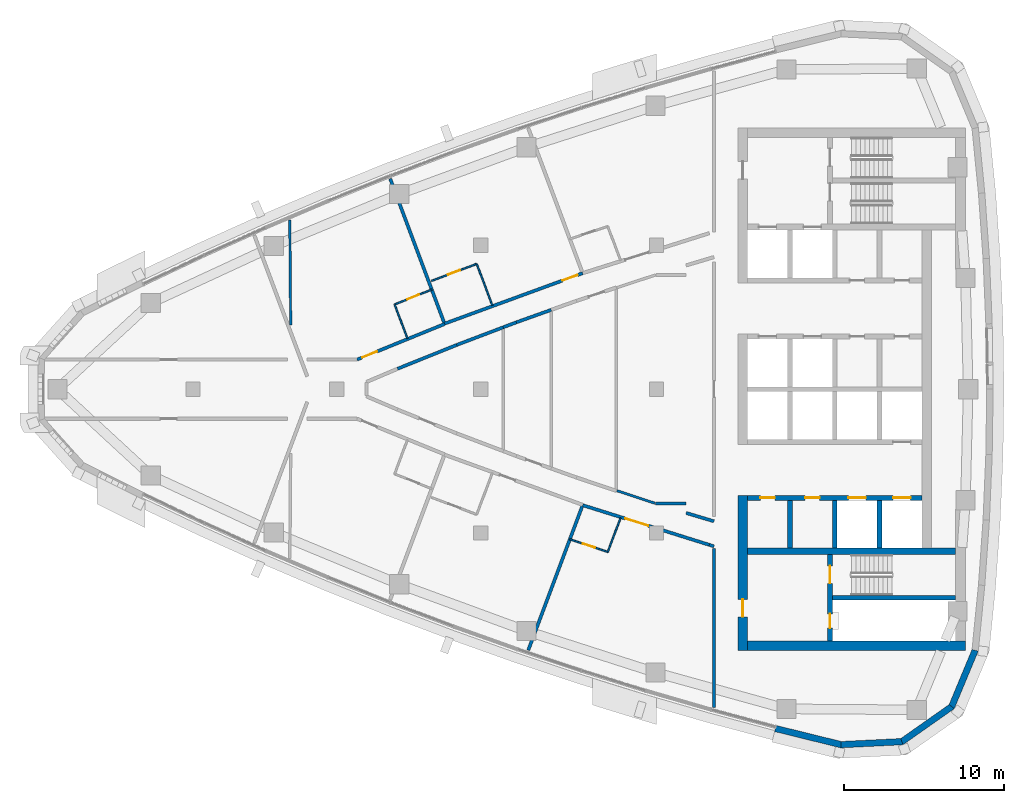
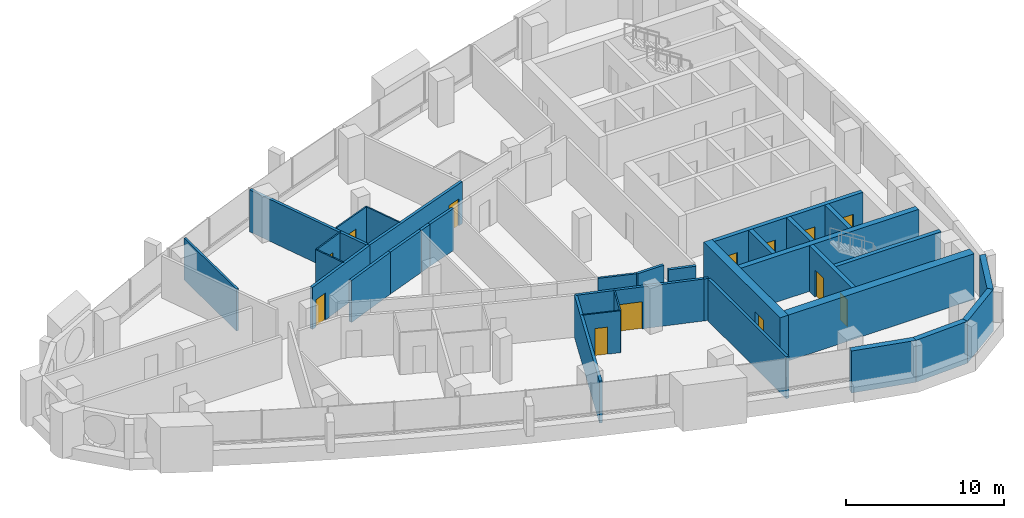
# One storey, part 9 of 15: 34 walls, 13 doors, 13 openings.
"""IFC4 building model written with IfcOpenShell, lengths in metres."""

from ifc_helpers import new_model, si_unit, direction, frame, frame_2d, origin, place, context, subcontext, project, spatial, polyline, rectangle, outline, extrude, material, layer, layer_set, type_object, element, fill, save


model = new_model("IFC4")

# Units and contexts
model_context = context("Model", 3, precision=1e-05, world=origin(), true_north=direction((0.0, 1.0)))
body_context = subcontext(model_context, "Body", "Model", "MODEL_VIEW")
ifc_project = project(units=[si_unit("LENGTHUNIT", "METRE"), si_unit("AREAUNIT", "SQUARE_METRE"), si_unit("VOLUMEUNIT", "CUBIC_METRE"), si_unit("PLANEANGLEUNIT", "RADIAN"), si_unit("MASSUNIT", "GRAM", prefix="KILO")], contexts=[model_context])

# Site, building, storey
site_placement = place(None, origin())
site = spatial("IfcSite", under=ifc_project, at=site_placement, CompositionType="ELEMENT")
building_placement = place(site_placement, origin())
building = spatial("IfcBuilding", under=site, at=building_placement, Name="Ostrand Prow Hotel Tower", CompositionType="ELEMENT")
storey_placement = place(building_placement, frame((0.0, 0.0, 238.550048828125)))
storey = spatial("IfcBuildingStorey", under=building, at=storey_placement, Name="L60", CompositionType="ELEMENT", Elevation=238.550048828125)

# Wall, openings, doors
ifc_material_1 = material(Name="Concrete C50/60", Category="concrete")
ifc_layer_1 = layer(ifc_material_1, 0.300048828125)
ifc_layer_set_1 = layer_set([ifc_layer_1], Name="Concrete C50/60")
wall_type_1 = type_object("IfcWallType", Name="Core wall 300 C50/60", PredefinedType="SHEAR", material=ifc_layer_set_1)
wall_1_placement = place(storey_placement, frame((50.699951171875, -6.800048828125, 0.0), z_axis=(0.0, 0.0, 1.0), x_axis=(1.0, 0.0, 0.0)))
wall_1 = element("IfcWall", 1, at=wall_1_placement, inside=storey, type_object=wall_type_1, Name="Core wall PW-L2-S", PredefinedType="SHEAR", context=body_context, shape_type="SweptSolid", body=[
    extrude(rectangle(XDim=10.900146484375, YDim=0.300048828125, at=frame_2d((5.4501953125, 0.0))), origin(), (0.0, 0.0, 1.0), 3.550048828125),
])
opening_1_placement = place(wall_1_placement, frame((6.300048828125, 0.0, 0.0)))
opening_1 = element("IfcOpeningElement", 2, at=opening_1_placement, cuts=wall_1, Name="Opening LD", PredefinedType="OPENING", context=body_context, shape_type="SweptSolid", body=[
    extrude(rectangle(XDim=1.10009765625, YDim=2.10009765625, at=frame_2d((0.550048828125, 1.050048828125))), frame((0.0, 0.159912109375, 0.0), z_axis=(0.0, -1.0, 0.0), x_axis=(1.0, 0.0, 0.0)), (0.0, 0.0, 1.0), 0.320068359375),
])
opening_2_placement = place(wall_1_placement, frame((9.10009765625, 0.0, 0.0)))
opening_2 = element("IfcOpeningElement", 3, at=opening_2_placement, cuts=wall_1, Name="Opening LD", PredefinedType="OPENING", context=body_context, shape_type="SweptSolid", body=[
    extrude(rectangle(XDim=1.10009765625, YDim=2.10009765625, at=frame_2d((0.550048828125, 1.050048828125))), frame((0.0, 0.159912109375, 0.0), z_axis=(0.0, -1.0, 0.0), x_axis=(1.0, 0.0, 0.0)), (0.0, 0.0, 1.0), 0.320068359375),
])
opening_3_placement = place(wall_1_placement, frame((0.800048828125, 0.0, 0.0)))
opening_3 = element("IfcOpeningElement", 4, at=opening_3_placement, cuts=wall_1, Name="Opening FD2", PredefinedType="OPENING", context=body_context, shape_type="SweptSolid", body=[
    extrude(rectangle(XDim=0.89990234375, YDim=2.10009765625, at=frame_2d((0.449951171875, 1.050048828125))), frame((0.0, 0.159912109375, 0.0), z_axis=(0.0, -1.0, 0.0), x_axis=(1.0, 0.0, 0.0)), (0.0, 0.0, 1.0), 0.320068359375),
])
opening_4_placement = place(wall_1_placement, frame((3.60009765625, 0.0, 0.0)))
opening_4 = element("IfcOpeningElement", 5, at=opening_4_placement, cuts=wall_1, Name="Opening FD2", PredefinedType="OPENING", context=body_context, shape_type="SweptSolid", body=[
    extrude(rectangle(XDim=0.89990234375, YDim=2.10009765625, at=frame_2d((0.449951171875, 1.050048828125))), frame((0.0, 0.159912109375, 0.0), z_axis=(0.0, -1.0, 0.0), x_axis=(1.0, 0.0, 0.0)), (0.0, 0.0, 1.0), 0.320068359375),
])
ifc_material_2 = material(Name="Steel fire door", Category="steel")
door_type_1 = type_object("IfcDoorType", Name="Fire door 900 EI120", OperationType="SINGLE_SWING_LEFT", PredefinedType="DOOR", material=ifc_material_2)
door_1_placement = place(opening_3_placement, origin())
door_1 = element("IfcDoor", 6, at=door_1_placement, inside=storey, type_object=door_type_1, Name="DOOR", OperationType="SINGLE_SWING_LEFT", OverallHeight=2.10009765625, OverallWidth=0.89990234375, PredefinedType="DOOR", context=body_context, shape_type="SweptSolid", body=[
    extrude(rectangle(XDim=0.89990234375, YDim=2.10009765625, at=frame_2d((0.449951171875, 1.050048828125))), frame((0.0, 0.02490234375, 0.0), z_axis=(0.0, -1.0, 0.0), x_axis=(1.0, 0.0, 0.0)), (0.0, 0.0, 1.0), 0.050048828125),
])
fill(opening_3, door_1)
door_2_placement = place(opening_4_placement, origin())
door_2 = element("IfcDoor", 7, at=door_2_placement, inside=storey, type_object=door_type_1, Name="DOOR", OperationType="SINGLE_SWING_LEFT", OverallHeight=2.10009765625, OverallWidth=0.89990234375, PredefinedType="DOOR", context=body_context, shape_type="SweptSolid", body=[
    extrude(rectangle(XDim=0.89990234375, YDim=2.10009765625, at=frame_2d((0.449951171875, 1.050048828125))), frame((0.0, 0.02490234375, 0.0), z_axis=(0.0, -1.0, 0.0), x_axis=(1.0, 0.0, 0.0)), (0.0, 0.0, 1.0), 0.050048828125),
])
fill(opening_4, door_2)
ifc_material_3 = material(Name="Stainless steel door", Category="steel")
door_type_2 = type_object("IfcDoorType", Name="Lift landing door 1100", OperationType="DOUBLE_DOOR_SLIDING", PredefinedType="DOOR", material=ifc_material_3)
door_3_placement = place(opening_1_placement, origin())
door_3 = element("IfcDoor", 8, at=door_3_placement, inside=storey, type_object=door_type_2, Name="LIFT LANDING DOOR", OperationType="DOUBLE_DOOR_SLIDING", OverallHeight=2.10009765625, OverallWidth=1.10009765625, PredefinedType="DOOR", context=body_context, shape_type="SweptSolid", body=[
    extrude(rectangle(XDim=1.10009765625, YDim=2.10009765625, at=frame_2d((0.550048828125, 1.050048828125))), frame((0.0, 0.02490234375, 0.0), z_axis=(0.0, -1.0, 0.0), x_axis=(1.0, 0.0, 0.0)), (0.0, 0.0, 1.0), 0.050048828125),
])
fill(opening_1, door_3)
door_4_placement = place(opening_2_placement, origin())
door_4 = element("IfcDoor", 9, at=door_4_placement, inside=storey, type_object=door_type_2, Name="LIFT LANDING DOOR", OperationType="DOUBLE_DOOR_SLIDING", OverallHeight=2.10009765625, OverallWidth=1.10009765625, PredefinedType="DOOR", context=body_context, shape_type="SweptSolid", body=[
    extrude(rectangle(XDim=1.10009765625, YDim=2.10009765625, at=frame_2d((0.550048828125, 1.050048828125))), frame((0.0, 0.02490234375, 0.0), z_axis=(0.0, -1.0, 0.0), x_axis=(1.0, 0.0, 0.0)), (0.0, 0.0, 1.0), 0.050048828125),
])
fill(opening_2, door_4)

# Walls
for number, where, z_axis, x_axis, name in (
    (10, (53.35009765625, -9.949951171875, 0.0), (0.0, 0.0, 1.0), (0.0, 1.0, 0.0), "Core wall PW-R1-SA"),
    (11, (56.14990234375, -9.949951171875, 0.0), (0.0, 0.0, 1.0), (0.0, 1.0, 0.0), "Core wall PW-R2-SA"),
    (12, (58.949951171875, -9.949951171875, 0.0), (0.0, 0.0, 1.0), (0.0, 1.0, 0.0), "Core wall PW-R3-SA"),
):
    element("IfcWall", number, at=place(storey_placement, frame(where, z_axis=z_axis, x_axis=x_axis)), inside=storey, type_object=wall_type_1, Name=name, PredefinedType="SHEAR", context=body_context, shape_type="SweptSolid", body=[
        extrude(rectangle(XDim=3.0, YDim=0.300048828125, at=frame_2d((1.5, 0.0))), origin(), (0.0, 0.0, 1.0), 3.550048828125),
    ])

# Wall, openings, doors
wall_2_placement = place(storey_placement, frame((55.85009765625, -15.75, 0.0), z_axis=(0.0, 0.0, 1.0), x_axis=(0.0, 1.0, 0.0)))
wall_2 = element("IfcWall", 13, at=wall_2_placement, inside=storey, type_object=wall_type_1, Name="Core wall PW-VS", PredefinedType="SHEAR", context=body_context, shape_type="SweptSolid", body=[
    extrude(rectangle(XDim=5.39990234375, YDim=0.300048828125, at=frame_2d((2.699951171875, 0.0))), origin(), (0.0, 0.0, 1.0), 3.550048828125),
])
opening_5_placement = place(wall_2_placement, frame((3.60009765625, 0.0, 0.0)))
opening_5 = element("IfcOpeningElement", 14, at=opening_5_placement, cuts=wall_2, Name="Opening FD1", PredefinedType="OPENING", context=body_context, shape_type="SweptSolid", body=[
    extrude(rectangle(XDim=1.10009765625, YDim=2.10009765625, at=frame_2d((0.550048828125, 1.050048828125))), frame((0.0, 0.159912109375, 0.0), z_axis=(0.0, -1.0, 0.0), x_axis=(1.0, 0.0, 0.0)), (0.0, 0.0, 1.0), 0.320068359375),
])
opening_6_placement = place(wall_2_placement, frame((0.800048828125, 0.0, 0.0)))
opening_6 = element("IfcOpeningElement", 15, at=opening_6_placement, cuts=wall_2, Name="Opening FD2", PredefinedType="OPENING", context=body_context, shape_type="SweptSolid", body=[
    extrude(rectangle(XDim=0.89990234375, YDim=2.10009765625, at=frame_2d((0.449951171875, 1.050048828125))), frame((0.0, 0.159912109375, 0.0), z_axis=(0.0, -1.0, 0.0), x_axis=(1.0, 0.0, 0.0)), (0.0, 0.0, 1.0), 0.320068359375),
])
ifc_material_4 = material(Name="Steel fire door", Category="steel")
door_type_3 = type_object("IfcDoorType", Name="Fire door 1100 EI120", OperationType="SINGLE_SWING_RIGHT", PredefinedType="DOOR", material=ifc_material_4)
door_5_placement = place(opening_5_placement, origin())
door_5 = element("IfcDoor", 16, at=door_5_placement, inside=storey, type_object=door_type_3, Name="FIRE DOOR", OperationType="SINGLE_SWING_RIGHT", OverallHeight=2.10009765625, OverallWidth=1.10009765625, PredefinedType="DOOR", context=body_context, shape_type="SweptSolid", body=[
    extrude(rectangle(XDim=1.10009765625, YDim=2.10009765625, at=frame_2d((0.550048828125, 1.050048828125))), frame((0.0, 0.02490234375, 0.0), z_axis=(0.0, -1.0, 0.0), x_axis=(1.0, 0.0, 0.0)), (0.0, 0.0, 1.0), 0.050048828125),
])
fill(opening_5, door_5)
door_6_placement = place(opening_6_placement, origin())
door_6 = element("IfcDoor", 17, at=door_6_placement, inside=storey, type_object=door_type_1, Name="FIRE DOOR", OperationType="SINGLE_SWING_LEFT", OverallHeight=2.10009765625, OverallWidth=0.89990234375, PredefinedType="DOOR", context=body_context, shape_type="SweptSolid", body=[
    extrude(rectangle(XDim=0.89990234375, YDim=2.10009765625, at=frame_2d((0.449951171875, 1.050048828125))), frame((0.0, 0.02490234375, 0.0), z_axis=(0.0, -1.0, 0.0), x_axis=(1.0, 0.0, 0.0)), (0.0, 0.0, 1.0), 0.050048828125),
])
fill(opening_6, door_6)

# Walls
wall_3_placement = place(storey_placement, frame((56.0, -13.050048828125, 0.0), z_axis=(0.0, 0.0, 1.0), x_axis=(1.0, 0.0, 0.0)))
element("IfcWall", 18, at=wall_3_placement, inside=storey, type_object=wall_type_1, Name="Core wall PW-ST2R", PredefinedType="SHEAR", context=body_context, shape_type="SweptSolid", body=[
    extrude(rectangle(XDim=7.719970703125, YDim=0.300048828125, at=frame_2d((3.85986328125, 0.0))), origin(), (0.0, 0.0, 1.0), 3.550048828125),
])
ifc_material_5 = material(Name="Concrete C50/60", Category="concrete")
ifc_layer_2 = layer(ifc_material_5, 0.39990234375)
ifc_layer_set_2 = layer_set([ifc_layer_2], Name="Concrete C50/60")
wall_type_2 = type_object("IfcWallType", Name="Core wall 400 C50/60", PredefinedType="SHEAR", material=ifc_layer_set_2)
wall_4_placement = place(storey_placement, frame((50.699951171875, -10.14990234375, 0.0), z_axis=(0.0, 0.0, 1.0), x_axis=(1.0, 0.0, 0.0)))
element("IfcWall", 19, at=wall_4_placement, inside=storey, type_object=wall_type_2, Name="Core wall PW-BS", PredefinedType="SHEAR", context=body_context, shape_type="SweptSolid", body=[
    extrude(rectangle(XDim=13.02001953125, YDim=0.39990234375, at=frame_2d((6.510009765625, 0.0))), origin(), (0.0, 0.0, 1.0), 3.550048828125),
])

# Wall, opening, door
ifc_material_6 = material(Name="Concrete C50/60", Category="concrete")
ifc_layer_3 = layer(ifc_material_6, 0.60009765625)
ifc_layer_set_3 = layer_set([ifc_layer_3], Name="Concrete C50/60")
wall_type_3 = type_object("IfcWallType", Name="Core wall 600 C50/60", PredefinedType="SHEAR", material=ifc_layer_set_3)
wall_5_placement = place(storey_placement, frame((50.39990234375, -16.35009765625, 0.0), z_axis=(0.0, 0.0, 1.0), x_axis=(0.0, 1.0, 0.0)))
wall_5 = element("IfcWall", 20, at=wall_5_placement, inside=storey, type_object=wall_type_3, Name="Core wall CW-W-S", PredefinedType="SHEAR", context=body_context, shape_type="SweptSolid", body=[
    extrude(rectangle(XDim=9.7001953125, YDim=0.60009765625, at=frame_2d((4.85009765625, 0.0))), origin(), (0.0, 0.0, 1.0), 3.550048828125),
])
opening_7_placement = place(wall_5_placement, frame((2.10009765625, 0.0, 0.0)))
opening_7 = element("IfcOpeningElement", 21, at=opening_7_placement, cuts=wall_5, Name="Opening FD1", PredefinedType="OPENING", context=body_context, shape_type="SweptSolid", body=[
    extrude(rectangle(XDim=1.10009765625, YDim=2.10009765625, at=frame_2d((0.550048828125, 1.050048828125))), frame((0.0, 0.31005859375, 0.0), z_axis=(0.0, -1.0, 0.0), x_axis=(1.0, 0.0, 0.0)), (0.0, 0.0, 1.0), 0.6201171875),
])
door_7_placement = place(opening_7_placement, origin())
door_7 = element("IfcDoor", 22, at=door_7_placement, inside=storey, type_object=door_type_3, Name="FIRE DOOR", OperationType="SINGLE_SWING_RIGHT", OverallHeight=2.10009765625, OverallWidth=1.10009765625, PredefinedType="DOOR", context=body_context, shape_type="SweptSolid", body=[
    extrude(rectangle(XDim=1.10009765625, YDim=2.10009765625, at=frame_2d((0.550048828125, 1.050048828125))), frame((0.0, 0.02490234375, 0.0), z_axis=(0.0, -1.0, 0.0), x_axis=(1.0, 0.0, 0.0)), (0.0, 0.0, 1.0), 0.050048828125),
])
fill(opening_7, door_7)

# Wall
wall_6_placement = place(storey_placement, frame((50.699951171875, -16.050048828125, 0.0), z_axis=(0.0, 0.0, 1.0), x_axis=(1.0, 0.0, 0.0)))
element("IfcWall", 23, at=wall_6_placement, inside=storey, type_object=wall_type_3, Name="Core wall CW-S", PredefinedType="SHEAR", context=body_context, shape_type="SweptSolid", body=[
    extrude(rectangle(XDim=13.6201171875, YDim=0.60009765625, at=frame_2d((6.81005859375, 0.0))), origin(), (0.0, 0.0, 1.0), 3.550048828125),
])

# Wall, opening, door
ifc_material_7 = material(Name="Plasterboard partition")
ifc_layer_4 = layer(ifc_material_7, 0.10009765625)
ifc_layer_set_4 = layer_set([ifc_layer_4], Name="Plasterboard partition")
wall_type_4 = type_object("IfcWallType", Name="Partition 100 bathroom wall", PredefinedType="PARTITIONING", material=ifc_layer_set_4)
wall_7_placement = place(storey_placement, frame((28.617919921875, 5.301025390625, 0.0), z_axis=(0.0, 0.0, 1.0), x_axis=(0.92761232595, 0.373544338394, 0.0)))
wall_7 = element("IfcWall", 24, at=wall_7_placement, inside=storey, type_object=wall_type_4, Name="BATHROOM WALL", PredefinedType="PARTITIONING", context=body_context, shape_type="SweptSolid", body=[
    extrude(rectangle(XDim=2.50048828125, YDim=0.10009765625, at=frame_2d((1.250244140625, 0.0))), origin(), (0.0, 0.0, 1.0), 3.25),
])
opening_8_placement = place(wall_7_placement, frame((0.85009765625, 0.0, 0.0)))
opening_8 = element("IfcOpeningElement", 25, at=opening_8_placement, cuts=wall_7, Name="Opening D2", PredefinedType="OPENING", context=body_context, shape_type="SweptSolid", body=[
    extrude(rectangle(XDim=0.800048828125, YDim=2.10009765625, at=frame_2d((0.39990234375, 1.050048828125))), frame((0.0, 0.06005859375, 0.0), z_axis=(0.0, -1.0, 0.0), x_axis=(1.0, 0.0, 0.0)), (0.0, 0.0, 1.0), 0.1201171875),
])
ifc_material_8 = material(Name="Timber door leaf", Category="wood")
door_type_4 = type_object("IfcDoorType", Name="Bathroom door 800", OperationType="SINGLE_SWING_LEFT", PredefinedType="DOOR", material=ifc_material_8)
door_8_placement = place(opening_8_placement, origin())
door_8 = element("IfcDoor", 26, at=door_8_placement, inside=storey, type_object=door_type_4, Name="DOOR", OperationType="SINGLE_SWING_LEFT", OverallHeight=2.10009765625, OverallWidth=0.800048828125, PredefinedType="DOOR", context=body_context, shape_type="SweptSolid", body=[
    extrude(rectangle(XDim=0.800048828125, YDim=2.10009765625, at=frame_2d((0.39990234375, 1.050048828125))), frame((0.0, 0.02490234375, 0.0), z_axis=(0.0, -1.0, 0.0), x_axis=(1.0, 0.0, 0.0)), (0.0, 0.0, 1.0), 0.050048828125),
])
fill(opening_8, door_8)

# Wall
wall_8_placement = place(storey_placement, frame((29.41748046875, 3.168212890625, 0.0), z_axis=(0.0, 0.0, 1.0), x_axis=(-0.351064703731, 0.936351202164, 0.0)))
element("IfcWall", 27, at=wall_8_placement, inside=storey, type_object=wall_type_4, Name="BATHROOM WALL", PredefinedType="PARTITIONING", context=body_context, shape_type="SweptSolid", body=[
    extrude(rectangle(XDim=2.277587890625, YDim=0.10009765625, at=frame_2d((1.138671875, 0.0))), origin(), (0.0, 0.0, 1.0), 3.25),
])

# Wall, opening, door
wall_9_placement = place(storey_placement, frame((30.935302734375, 6.773193359375, 0.0), z_axis=(0.0, 0.0, 1.0), x_axis=(0.934929871592, 0.354832545302, 0.0)))
wall_9 = element("IfcWall", 28, at=wall_9_placement, inside=storey, type_object=wall_type_4, Name="BATHROOM WALL", PredefinedType="PARTITIONING", context=body_context, shape_type="SweptSolid", body=[
    extrude(rectangle(XDim=3.012939453125, YDim=0.10009765625, at=frame_2d((1.50634765625, 0.0))), origin(), (0.0, 0.0, 1.0), 3.25),
])
opening_9_placement = place(wall_9_placement, frame((1.10009765625, 0.0, 0.0)))
opening_9 = element("IfcOpeningElement", 29, at=opening_9_placement, cuts=wall_9, Name="Opening D2", PredefinedType="OPENING", context=body_context, shape_type="SweptSolid", body=[
    extrude(rectangle(XDim=0.800048828125, YDim=2.10009765625, at=frame_2d((0.39990234375, 1.050048828125))), frame((0.0, 0.06005859375, 0.0), z_axis=(0.0, -1.0, 0.0), x_axis=(1.0, 0.0, 0.0)), (0.0, 0.0, 1.0), 0.1201171875),
])
door_9_placement = place(opening_9_placement, origin())
door_9 = element("IfcDoor", 30, at=door_9_placement, inside=storey, type_object=door_type_4, Name="DOOR", OperationType="SINGLE_SWING_LEFT", OverallHeight=2.10009765625, OverallWidth=0.800048828125, PredefinedType="DOOR", context=body_context, shape_type="SweptSolid", body=[
    extrude(rectangle(XDim=0.800048828125, YDim=2.10009765625, at=frame_2d((0.39990234375, 1.050048828125))), frame((0.0, 0.02490234375, 0.0), z_axis=(0.0, -1.0, 0.0), x_axis=(1.0, 0.0, 0.0)), (0.0, 0.0, 1.0), 0.050048828125),
])
fill(opening_9, door_9)

# Walls
wall_10_placement = place(storey_placement, frame((33.75244140625, 7.84228515625, 0.0), z_axis=(0.0, 0.0, 1.0), x_axis=(0.351113807562, -0.936332790272, 0.0)))
element("IfcWall", 31, at=wall_10_placement, inside=storey, type_object=wall_type_4, Name="BATHROOM WALL", PredefinedType="PARTITIONING", context=body_context, shape_type="SweptSolid", body=[
    extrude(rectangle(XDim=2.777099609375, YDim=0.10009765625, at=frame_2d((1.388671875, 0.0))), origin(), (0.0, 0.0, 1.0), 3.25),
])
wall_11_placement = place(storey_placement, frame((42.75146484375, -8.052490234375, 0.0), z_axis=(0.0, 0.0, 1.0), x_axis=(-0.351146927505, -0.936320370014, 0.0)))
element("IfcWall", 32, at=wall_11_placement, inside=storey, type_object=wall_type_4, Name="BATHROOM WALL", PredefinedType="PARTITIONING", context=body_context, shape_type="SweptSolid", body=[
    extrude(rectangle(XDim=2.2783203125, YDim=0.10009765625, at=frame_2d((1.13916015625, 0.0))), origin(), (0.0, 0.0, 1.0), 3.25),
])

# Wall, opening, door
wall_12_placement = place(storey_placement, frame((41.951416015625, -10.18603515625, 0.0), z_axis=(0.0, 0.0, 1.0), x_axis=(-0.948468383404, 0.316871781141, 0.0)))
wall_12 = element("IfcWall", 33, at=wall_12_placement, inside=storey, type_object=wall_type_4, Name="BATHROOM WALL", PredefinedType="PARTITIONING", context=body_context, shape_type="SweptSolid", body=[
    extrude(rectangle(XDim=2.501708984375, YDim=0.10009765625, at=frame_2d((1.2509765625, 0.0))), origin(), (0.0, 0.0, 1.0), 3.25),
])
opening_10_placement = place(wall_12_placement, frame((0.85009765625, 0.0, 0.0)))
opening_10 = element("IfcOpeningElement", 34, at=opening_10_placement, cuts=wall_12, Name="Opening D2", PredefinedType="OPENING", context=body_context, shape_type="SweptSolid", body=[
    extrude(rectangle(XDim=0.800048828125, YDim=2.10009765625, at=frame_2d((0.39990234375, 1.050048828125))), frame((0.0, 0.06005859375, 0.0), z_axis=(0.0, -1.0, 0.0), x_axis=(1.0, 0.0, 0.0)), (0.0, 0.0, 1.0), 0.1201171875),
])
door_10_placement = place(opening_10_placement, origin())
door_10 = element("IfcDoor", 35, at=door_10_placement, inside=storey, type_object=door_type_4, Name="DOOR", OperationType="SINGLE_SWING_LEFT", OverallHeight=2.10009765625, OverallWidth=0.800048828125, PredefinedType="DOOR", context=body_context, shape_type="SweptSolid", body=[
    extrude(rectangle(XDim=0.800048828125, YDim=2.10009765625, at=frame_2d((0.39990234375, 1.050048828125))), frame((0.0, 0.02490234375, 0.0), z_axis=(0.0, -1.0, 0.0), x_axis=(1.0, 0.0, 0.0)), (0.0, 0.0, 1.0), 0.050048828125),
])
fill(opening_10, door_10)

# Walls
ifc_material_9 = material(Name="Plasterboard partition")
ifc_layer_5 = layer(ifc_material_9, 0.14990234375)
ifc_layer_set_5 = layer_set([ifc_layer_5], Name="Plasterboard partition")
wall_type_5 = type_object("IfcWallType", Name="Partition 150 room partition", PredefinedType="PARTITIONING", material=ifc_layer_set_5)
wall_13_placement = place(storey_placement, frame((22.057373046875, 10.577880859375, 0.0), z_axis=(0.0, 0.0, 1.0), x_axis=(0.008379594055, -0.999964890585, 0.0)))
element("IfcWall", 36, at=wall_13_placement, inside=storey, type_object=wall_type_5, Name="ROOM PARTITION", PredefinedType="PARTITIONING", context=body_context, shape_type="SweptSolid", body=[
    extrude(rectangle(XDim=6.555419921875, YDim=0.14990234375, at=frame_2d((3.27783203125, 0.0))), origin(), (0.0, 0.0, 1.0), 3.25),
])
wall_14_placement = place(storey_placement, frame((44.8955078125, -7.132568359375, 0.0), z_axis=(0.0, 0.0, 1.0), x_axis=(-0.94991890936, 0.312496505006, 0.0)))
element("IfcWall", 37, at=wall_14_placement, inside=storey, type_object=wall_type_5, Name="ROOM PARTITION", PredefinedType="PARTITIONING", context=body_context, shape_type="SweptSolid", body=[
    extrude(rectangle(XDim=2.49462890625, YDim=0.14990234375, at=frame_2d((1.247314453125, 0.0))), origin(), (0.0, 0.0, 1.0), 3.25),
])

# Wall, opening, door
ifc_material_10 = material(Name="Plasterboard partition")
ifc_layer_6 = layer(ifc_material_10, 0.199951171875)
ifc_layer_set_6 = layer_set([ifc_layer_6], Name="Plasterboard partition")
wall_type_6 = type_object("IfcWallType", Name="Partition 200 corridor wall", PredefinedType="PARTITIONING", material=ifc_layer_set_6)
wall_15_placement = place(storey_placement, frame((26.265869140625, 1.85009765625, 0.0), z_axis=(0.0, 0.0, 1.0), x_axis=(0.926191125494, 0.377054371486, 0.0)))
wall_15 = element("IfcWall", 38, at=wall_15_placement, inside=storey, type_object=wall_type_6, Name="CORRIDOR WALL", PredefinedType="PARTITIONING", context=body_context, shape_type="SweptSolid", body=[
    extrude(rectangle(XDim=5.916259765625, YDim=0.199951171875, at=frame_2d((2.9580078125, 0.0))), origin(), (0.0, 0.0, 1.0), 3.25),
])
opening_11_placement = place(wall_15_placement, frame((0.35009765625, 0.0, 0.0)))
opening_11 = element("IfcOpeningElement", 39, at=opening_11_placement, cuts=wall_15, Name="Opening D1R", PredefinedType="OPENING", context=body_context, shape_type="SweptSolid", body=[
    extrude(rectangle(XDim=1.0, YDim=2.10009765625, at=frame_2d((0.5, 1.050048828125))), frame((0.0, 0.10986328125, 0.0), z_axis=(0.0, -1.0, 0.0), x_axis=(1.0, 0.0, 0.0)), (0.0, 0.0, 1.0), 0.219970703125),
])
ifc_material_11 = material(Name="Timber door leaf", Category="wood")
door_type_5 = type_object("IfcDoorType", Name="Guest room door 1000 right", OperationType="SINGLE_SWING_RIGHT", PredefinedType="DOOR", material=ifc_material_11)
door_11_placement = place(opening_11_placement, origin())
door_11 = element("IfcDoor", 40, at=door_11_placement, inside=storey, type_object=door_type_5, Name="DOOR", OperationType="SINGLE_SWING_RIGHT", OverallHeight=2.10009765625, OverallWidth=1.0, PredefinedType="DOOR", context=body_context, shape_type="SweptSolid", body=[
    extrude(rectangle(XDim=1.0, YDim=2.10009765625, at=frame_2d((0.5, 1.050048828125))), frame((0.0, 0.02490234375, 0.0), z_axis=(0.0, -1.0, 0.0), x_axis=(1.0, 0.0, 0.0)), (0.0, 0.0, 1.0), 0.050048828125),
])
fill(opening_11, door_11)

wall_16_placement = place(storey_placement, frame((40.3798828125, 7.257080078125, 0.0), z_axis=(0.0, 0.0, 1.0), x_axis=(-0.939266239759, -0.343189351305, 0.0)))
wall_16 = element("IfcWall", 41, at=wall_16_placement, inside=storey, type_object=wall_type_6, Name="CORRIDOR WALL", PredefinedType="PARTITIONING", context=body_context, shape_type="SweptSolid", body=[
    extrude(rectangle(XDim=9.200439453125, YDim=0.199951171875, at=frame_2d((4.60009765625, 0.0))), origin(), (0.0, 0.0, 1.0), 3.25),
])
opening_12_placement = place(wall_16_placement, frame((0.35009765625, 0.0, 0.0)))
opening_12 = element("IfcOpeningElement", 42, at=opening_12_placement, cuts=wall_16, Name="Opening D1R", PredefinedType="OPENING", context=body_context, shape_type="SweptSolid", body=[
    extrude(rectangle(XDim=1.0, YDim=2.10009765625, at=frame_2d((0.5, 1.050048828125))), frame((0.0, 0.10986328125, 0.0), z_axis=(0.0, -1.0, 0.0), x_axis=(1.0, 0.0, 0.0)), (0.0, 0.0, 1.0), 0.219970703125),
])
door_12_placement = place(opening_12_placement, origin())
door_12 = element("IfcDoor", 43, at=door_12_placement, inside=storey, type_object=door_type_5, Name="DOOR", OperationType="SINGLE_SWING_RIGHT", OverallHeight=2.10009765625, OverallWidth=1.0, PredefinedType="DOOR", context=body_context, shape_type="SweptSolid", body=[
    extrude(rectangle(XDim=1.0, YDim=2.10009765625, at=frame_2d((0.5, 1.050048828125))), frame((0.0, 0.02490234375, 0.0), z_axis=(0.0, -1.0, 0.0), x_axis=(1.0, 0.0, 0.0)), (0.0, 0.0, 1.0), 0.050048828125),
])
fill(opening_12, door_12)

# Walls
wall_17_placement = place(storey_placement, frame((28.795654296875, 1.276123046875, 0.0), z_axis=(0.0, 0.0, 1.0), x_axis=(0.927622894464, 0.373518092823, 0.0)))
element("IfcWall", 44, at=wall_17_placement, inside=storey, type_object=wall_type_6, Name="CORRIDOR WALL", PredefinedType="PARTITIONING", context=body_context, shape_type="SweptSolid", body=[
    extrude(rectangle(XDim=3.994873046875, YDim=0.199951171875, at=frame_2d((1.99755859375, 0.0))), origin(), (0.0, 0.0, 1.0), 3.25),
])
wall_18_placement = place(storey_placement, frame((32.50146484375, 2.768310546875, 0.0), z_axis=(0.0, 0.0, 1.0), x_axis=(0.934964318004, 0.354741770954, 0.0)))
element("IfcWall", 45, at=wall_18_placement, inside=storey, type_object=wall_type_6, Name="CORRIDOR WALL", PredefinedType="PARTITIONING", context=body_context, shape_type="SweptSolid", body=[
    extrude(rectangle(XDim=3.11083984375, YDim=0.199951171875, at=frame_2d((1.555419921875, 0.0))), origin(), (0.0, 0.0, 1.0), 3.25),
])
wall_19_placement = place(storey_placement, frame((35.409912109375, 3.871826171875, 0.0), z_axis=(0.0, 0.0, 1.0), x_axis=(0.934902750064, 0.354903998178, 0.0)))
element("IfcWall", 46, at=wall_19_placement, inside=storey, type_object=wall_type_6, Name="CORRIDOR WALL", PredefinedType="PARTITIONING", context=body_context, shape_type="SweptSolid", body=[
    extrude(rectangle(XDim=0.884033203125, YDim=0.199951171875, at=frame_2d((0.44189453125, 0.0))), origin(), (0.0, 0.0, 1.0), 3.25),
])
wall_20_placement = place(storey_placement, frame((36.236328125, 4.185546875, 0.0), z_axis=(0.0, 0.0, 1.0), x_axis=(0.941897392466, 0.335900732459, 0.0)))
element("IfcWall", 47, at=wall_20_placement, inside=storey, type_object=wall_type_6, Name="CORRIDOR WALL", PredefinedType="PARTITIONING", context=body_context, shape_type="SweptSolid", body=[
    extrude(rectangle(XDim=2.3076171875, YDim=0.199951171875, at=frame_2d((1.15380859375, 0.0))), origin(), (0.0, 0.0, 1.0), 3.25),
])

# Wall, opening, door
wall_21_placement = place(storey_placement, frame((40.3798828125, -7.257080078125, 0.0), z_axis=(0.0, 0.0, 1.0), x_axis=(0.954235234728, -0.299057046068, 0.0)))
wall_21 = element("IfcWall", 48, at=wall_21_placement, inside=storey, type_object=wall_type_6, Name="CORRIDOR WALL", PredefinedType="PARTITIONING", context=body_context, shape_type="SweptSolid", body=[
    extrude(rectangle(XDim=8.300048828125, YDim=0.199951171875, at=frame_2d((4.14990234375, 0.0))), origin(), (0.0, 0.0, 1.0), 3.25),
])
opening_13_placement = place(wall_21_placement, frame((2.800048828125, 0.0, 0.0)))
opening_13 = element("IfcOpeningElement", 49, at=opening_13_placement, cuts=wall_21, Name="Opening D15", PredefinedType="OPENING", context=body_context, shape_type="SweptSolid", body=[
    extrude(rectangle(XDim=1.5, YDim=2.10009765625, at=frame_2d((0.75, 1.050048828125))), frame((0.0, 0.10986328125, 0.0), z_axis=(0.0, -1.0, 0.0), x_axis=(1.0, 0.0, 0.0)), (0.0, 0.0, 1.0), 0.219970703125),
])
ifc_material_12 = material(Name="Timber door leaf", Category="wood")
door_type_6 = type_object("IfcDoorType", Name="Double door 1500", OperationType="DOUBLE_DOOR_SINGLE_SWING", PredefinedType="DOOR", material=ifc_material_12)
door_13_placement = place(opening_13_placement, origin())
door_13 = element("IfcDoor", 50, at=door_13_placement, inside=storey, type_object=door_type_6, Name="DOOR", OperationType="DOUBLE_DOOR_SINGLE_SWING", OverallHeight=2.10009765625, OverallWidth=1.5, PredefinedType="DOOR", context=body_context, shape_type="SweptSolid", body=[
    extrude(rectangle(XDim=1.5, YDim=2.10009765625, at=frame_2d((0.75, 1.050048828125))), frame((0.0, 0.02490234375, 0.0), z_axis=(0.0, -1.0, 0.0), x_axis=(1.0, 0.0, 0.0)), (0.0, 0.0, 1.0), 0.050048828125),
])
fill(opening_13, door_13)

# Walls
wall_22_placement = place(storey_placement, frame((48.594970703125, -8.264892578125, 0.0), z_axis=(0.0, 0.0, 1.0), x_axis=(-0.958014760688, 0.286718883759, 0.0)))
element("IfcWall", 51, at=wall_22_placement, inside=storey, type_object=wall_type_6, Name="CORRIDOR WALL", PredefinedType="PARTITIONING", context=body_context, shape_type="SweptSolid", body=[
    extrude(rectangle(XDim=1.816162109375, YDim=0.199951171875, at=frame_2d((0.908203125, 0.0))), origin(), (0.0, 0.0, 1.0), 3.25),
])
wall_23_placement = place(storey_placement, frame((46.8515625, -7.145263671875, 0.0), z_axis=(0.0, 0.0, 1.0), x_axis=(-0.999999991898, 0.000127291241, 0.0)))
element("IfcWall", 52, at=wall_23_placement, inside=storey, type_object=wall_type_6, Name="CORRIDOR WALL", PredefinedType="PARTITIONING", context=body_context, shape_type="SweptSolid", body=[
    extrude(rectangle(XDim=1.91796875, YDim=0.199951171875, at=frame_2d((0.958984375, 0.0))), origin(), (0.0, 0.0, 1.0), 3.25),
])
wall_24_placement = place(storey_placement, frame((48.300048828125, -9.7392578125, 0.0), z_axis=(0.0, 0.0, 1.0), x_axis=(0.949310105444, -0.314341094518, 0.0)))
element("IfcWall", 53, at=wall_24_placement, inside=storey, type_object=wall_type_6, Name="CORRIDOR WALL", PredefinedType="PARTITIONING", context=body_context, shape_type="SweptSolid", body=[
    extrude(rectangle(XDim=0.310791015625, YDim=0.199951171875, at=frame_2d((0.1552734375, 0.0))), origin(), (0.0, 0.0, 1.0), 3.25),
])
wall_25_placement = place(storey_placement, frame((48.594970703125, -9.95703125, 0.0), z_axis=(0.0, 0.0, 1.0), x_axis=(0.0, -1.0, 0.0)))
element("IfcWall", 54, at=wall_25_placement, inside=storey, type_object=wall_type_6, Name="CORRIDOR WALL", PredefinedType="PARTITIONING", context=body_context, shape_type="SweptSolid", body=[
    extrude(rectangle(XDim=9.947265625, YDim=0.199951171875, at=frame_2d((4.9736328125, 0.0))), origin(), (0.0, 0.0, 1.0), 3.25),
])
ifc_material_13 = material(Name="Plasterboard partition")
ifc_layer_7 = layer(ifc_material_13, 0.199951171875)
ifc_layer_set_7 = layer_set([ifc_layer_7], Name="Plasterboard partition")
wall_type_7 = type_object("IfcWallType", Name="Partition 200 key partition", PredefinedType="PARTITIONING", material=ifc_layer_set_7)
wall_26_placement = place(storey_placement, frame((31.745361328125, 4.080810546875, 0.0), z_axis=(0.0, 0.0, 1.0), x_axis=(-0.351126198992, 0.936328143538, 0.0)))
element("IfcWall", 55, at=wall_26_placement, inside=storey, type_object=wall_type_7, Name="KEY PARTITION", PredefinedType="PARTITIONING", context=body_context, shape_type="SweptSolid", body=[
    extrude(rectangle(XDim=9.703125, YDim=0.199951171875, at=frame_2d((4.8515625, 0.0))), origin(), (0.0, 0.0, 1.0), 3.25),
])
wall_27_placement = place(storey_placement, frame((36.978759765625, -16.326904296875, 0.0), z_axis=(0.0, 0.0, 1.0), x_axis=(0.351098633881, 0.936338480084, 0.0)))
element("IfcWall", 56, at=wall_27_placement, inside=storey, type_object=wall_type_7, Name="KEY PARTITION", PredefinedType="PARTITIONING", context=body_context, shape_type="SweptSolid", body=[
    extrude(rectangle(XDim=9.70654296875, YDim=0.199951171875, at=frame_2d((4.853271484375, 0.0))), origin(), (0.0, 0.0, 1.0), 3.25),
])
ifc_material_14 = material(Name="Precast concrete C40/50", Category="concrete")
ifc_layer_8 = layer(ifc_material_14, 0.39990234375)
ifc_layer_set_8 = layer_set([ifc_layer_8], Name="Precast concrete C40/50")
wall_type_8 = type_object("IfcWallType", Name="Stone-faced precast wall 400 mm", PredefinedType="NOTDEFINED", material=ifc_layer_set_8)
wall_28_placement = place(storey_placement, frame((52.440673828125, -21.229736328125, 0.0), z_axis=(0.0, 0.0, 1.0), x_axis=(0.970902342456, -0.23947576373, 0.0)))
element("IfcWall", 57, at=wall_28_placement, inside=storey, type_object=wall_type_8, Name="Stone-faced wall back 1", PredefinedType="NOTDEFINED", context=body_context, shape_type="SweptSolid", body=[
    extrude(outline(polyline([(0.0, -0.199951171875), (4.255126953125, -0.199951171875), (4.196533203125, 0.199951171875), (0.0, 0.199951171875), (0.0, -0.199951171875)])), origin(), (0.0, 0.0, 1.0), 3.25),
])
wall_29_placement = place(storey_placement, frame((56.54345703125, -22.24169921875, 0.0), z_axis=(0.0, 0.0, 1.0), x_axis=(0.998758875872, 0.049806705046, 0.0)))
element("IfcWall", 58, at=wall_29_placement, inside=storey, type_object=wall_type_8, Name="Stone-faced wall back 2", PredefinedType="NOTDEFINED", context=body_context, shape_type="SweptSolid", body=[
    extrude(outline(polyline([(-0.029296875, -0.199951171875), (3.871337890625, -0.199951171875), (3.755615234375, 0.199951171875), (0.029296875, 0.199951171875), (-0.029296875, -0.199951171875)])), origin(), (0.0, 0.0, 1.0), 3.25),
])
wall_30_placement = place(storey_placement, frame((60.352294921875, -22.0517578125, 0.0), z_axis=(0.0, 0.0, 1.0), x_axis=(0.817942545532, 0.575299915009, 0.0)))
element("IfcWall", 59, at=wall_30_placement, inside=storey, type_object=wall_type_8, Name="Stone-faced wall back 3", PredefinedType="NOTDEFINED", context=body_context, shape_type="SweptSolid", body=[
    extrude(outline(polyline([(-0.057861328125, -0.199951171875), (3.871337890625, -0.199951171875), (3.755615234375, 0.199951171875), (0.057861328125, 0.199951171875), (-0.057861328125, -0.199951171875)])), origin(), (0.0, 0.0, 1.0), 3.25),
])
wall_31_placement = place(storey_placement, frame((63.471435546875, -19.85791015625, 0.0), z_axis=(0.0, 0.0, 1.0), x_axis=(0.3844335483, 0.923152667191, 0.0)))
element("IfcWall", 60, at=wall_31_placement, inside=storey, type_object=wall_type_8, Name="Stone-faced wall back 4", PredefinedType="NOTDEFINED", context=body_context, shape_type="SweptSolid", body=[
    extrude(outline(polyline([(-0.057861328125, -0.199951171875), (3.84326171875, -0.199951171875), (3.78369140625, 0.199951171875), (0.057861328125, 0.199951171875), (-0.057861328125, -0.199951171875)])), origin(), (0.0, 0.0, 1.0), 3.25),
])

save(model, "model.ifc")
